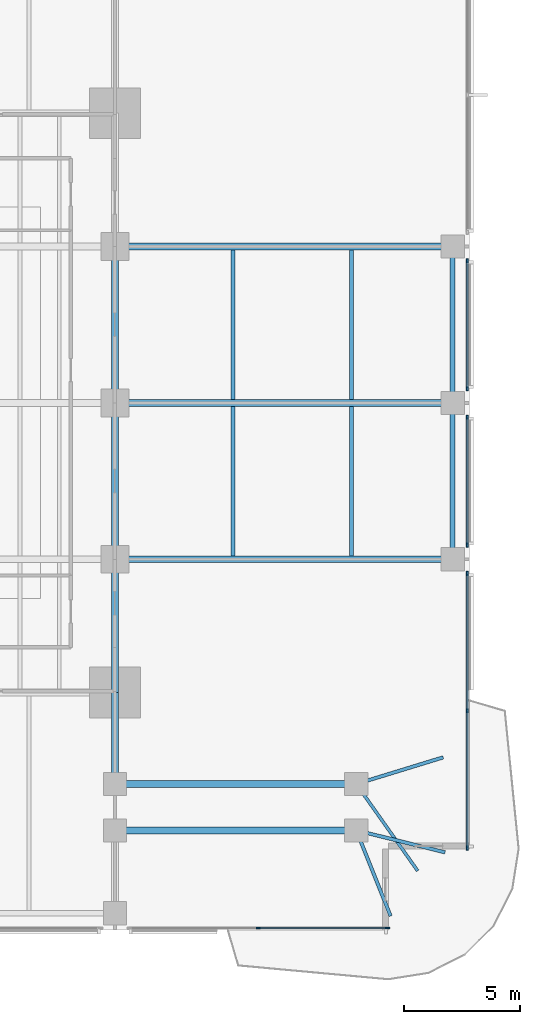
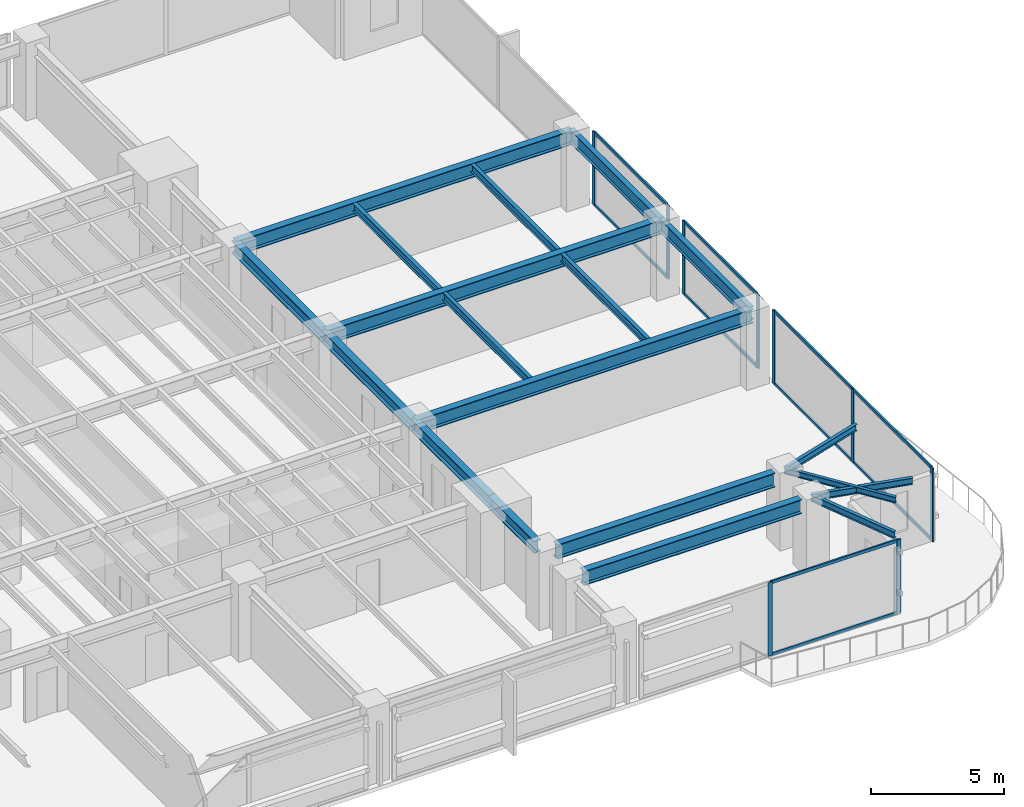
# One storey, part 4 of 15: 19 beams, 19 members, 4 elements without a shape of their own.
"""IFC4 building model written with IfcOpenShell, lengths in metres."""

import ifcopenshell
import ifcopenshell.guid

model = None  # the IFC model being written
_history = None  # IfcOwnerHistory: only IFC2X3 demands one
_inside = {}  # id of a spatial element -> (the spatial element, [elements in it])
_under = {}  # id of a project, library or spatial element -> (it, [spatial elements below it])
_declared = {}  # id of a project -> (the project, [libraries it declares])
_typed = {}  # id of a type object -> (the type object, [elements of that type])
_made_of = {}  # id of a material, layer set ... -> (it, [elements and type objects made of it])


def new_model(schema):
    """Start an empty IFC model of exactly this schema.

    Asked for "IFC4X3", IfcOpenShell would pick the latest addendum, in which some entities
    have other attributes; the version numbers below select the first issue.
    IFC2X3 requires an IfcOwnerHistory on every rooted entity: one is made here for all.
    """
    global model, _history
    if schema == "IFC4X3":
        model = ifcopenshell.file(schema_version=(4, 3, 0, 0))
    else:
        model = ifcopenshell.file(schema=schema)
    _inside.clear()
    _under.clear()
    _declared.clear()
    _typed.clear()
    _made_of.clear()
    _history = None
    if model.schema == "IFC2X3":
        org = make("IfcOrganization", Name="unknown")
        user = make(
            "IfcPersonAndOrganization",
            ThePerson=make("IfcPerson", FamilyName="unknown"),
            TheOrganization=org,
        )
        app = make(
            "IfcApplication",
            ApplicationDeveloper=org,
            Version="unknown",
            ApplicationFullName="unknown",
            ApplicationIdentifier="unknown",
        )
        _history = make(
            "IfcOwnerHistory",
            OwningUser=user,
            OwningApplication=app,
            ChangeAction="ADDED",
            CreationDate=0,
        )
    return model


def make(cls, **values):
    """One entity of the class cls with the attributes given. An attribute that is None is left unset."""
    return model.create_entity(
        cls, **{name: value for name, value in values.items() if value is not None}
    )


def rooted(cls, **values):
    """An entity with a GlobalId (a new one), such as an element, a storey or a relation."""
    return make(cls, GlobalId=ifcopenshell.guid.new(), OwnerHistory=_history, **values)


def si_unit(unit_type, name, prefix=None):
    """IfcSIUnit, for example si_unit("LENGTHUNIT", "METRE", prefix="MILLI")."""
    return make("IfcSIUnit", UnitType=unit_type, Prefix=prefix, Name=name)


def assignment(units):
    """IfcUnitAssignment: the units of a project."""
    return None if units is None else make("IfcUnitAssignment", Units=units)


def point(xyz):
    """IfcCartesianPoint."""
    return None if xyz is None else make("IfcCartesianPoint", Coordinates=xyz)


def direction(xyz):
    """IfcDirection."""
    return None if xyz is None else make("IfcDirection", DirectionRatios=xyz)


def frame(location, z_axis=None, x_axis=None):
    """IfcAxis2Placement3D, a coordinate frame: its origin and axes. An axis left out is left unset."""
    return make(
        "IfcAxis2Placement3D",
        Location=point(location),
        Axis=direction(z_axis),
        RefDirection=direction(x_axis),
    )


def frame_2d(location, x_axis=None):
    """IfcAxis2Placement2D, a coordinate frame in the plane: its origin and x axis."""
    return make(
        "IfcAxis2Placement2D", Location=point(location), RefDirection=direction(x_axis)
    )


def origin():
    """The frame at (0, 0, 0) with its axes left unset."""
    return frame((0.0, 0.0, 0.0))


def origin_2d():
    """The frame at (0, 0) in the plane with its x axis left unset."""
    return frame_2d((0.0, 0.0))


def place(relative_to, where):
    """IfcLocalPlacement: puts the frame where relative to a parent placement (None: the world)."""
    return make(
        "IfcLocalPlacement", PlacementRelTo=relative_to, RelativePlacement=where
    )


def context(
    kind, dimensions, precision=None, world=None, true_north=None, identifier=None
):
    """IfcGeometricRepresentationContext, for example the 3D "Model" context."""
    return make(
        "IfcGeometricRepresentationContext",
        ContextIdentifier=identifier,
        ContextType=kind,
        CoordinateSpaceDimension=dimensions,
        Precision=precision,
        WorldCoordinateSystem=world,
        TrueNorth=true_north,
    )


def subcontext(parent, identifier, kind, view, scale=None):
    """IfcGeometricRepresentationSubContext, for example "Body" below "Model"."""
    return make(
        "IfcGeometricRepresentationSubContext",
        ContextIdentifier=identifier,
        ContextType=kind,
        ParentContext=parent,
        TargetScale=scale,
        TargetView=view,
    )


def project(units=None, contexts=None):
    """IfcProject with its units and contexts."""
    return rooted(
        "IfcProject",
        Name="project",
        RepresentationContexts=contexts,
        UnitsInContext=assignment(units),
    )


def spatial(cls, under=None, at=None, **own):
    """A site, building, storey or space (cls), placed at a placement, below another one or the project."""
    s = rooted(cls, ObjectPlacement=at, **own)
    if under is not None:
        _under.setdefault(under.id(), (under, []))[1].append(s)
    return s


def profile(cls, at=None, kind="AREA", **sizes):
    """A parametric profile (cls). Its sizes go by their IFC names, for example OverallWidth=200.0."""
    return make(cls, ProfileType=kind, Position=at, **sizes)


def rectangle(**sizes):
    """IfcRectangleProfileDef."""
    return profile("IfcRectangleProfileDef", **sizes)


def i_section(**sizes):
    """IfcIShapeProfileDef."""
    return profile("IfcIShapeProfileDef", **sizes)


def extrude(swept, where, along, depth):
    """IfcExtrudedAreaSolid: the profile swept, set in the frame where, extruded along a direction by depth."""
    return make(
        "IfcExtrudedAreaSolid",
        SweptArea=swept,
        Position=where,
        ExtrudedDirection=direction(along),
        Depth=depth,
    )


def shape(context_of_items, identifier, shape_type, items):
    """IfcShapeRepresentation: the items that make up one representation, for example the "Body"."""
    return make(
        "IfcShapeRepresentation",
        ContextOfItems=context_of_items,
        RepresentationIdentifier=identifier,
        RepresentationType=shape_type,
        Items=items,
    )


def material(Name=None, Category=None):
    """IfcMaterial."""
    return make("IfcMaterial", Name=Name, Category=Category)


def layer(
    of_material, thickness, ventilated=None, Name=None, Category=None, Priority=None
):
    """IfcMaterialLayer: one layer of a wall or slab, of a material (None: an air gap)."""
    return make(
        "IfcMaterialLayer",
        Material=of_material,
        LayerThickness=thickness,
        IsVentilated=ventilated,
        Name=Name,
        Category=Category,
        Priority=Priority,
    )


def layer_set(layers, Name=None):
    """IfcMaterialLayerSet."""
    return make("IfcMaterialLayerSet", MaterialLayers=layers, LayerSetName=Name)


def material_profile(
    of_material, cross_section, Name=None, Category=None, Priority=None
):
    """IfcMaterialProfile: a cross section and its material."""
    return make(
        "IfcMaterialProfile",
        Name=Name,
        Material=of_material,
        Profile=cross_section,
        Priority=Priority,
        Category=Category,
    )


def profile_set(profiles, Name=None, composite=None):
    """IfcMaterialProfileSet."""
    return make(
        "IfcMaterialProfileSet",
        Name=Name,
        MaterialProfiles=profiles,
        CompositeProfile=composite,
    )


def made_of(thing, what):
    """Note that an element or type object is made of a material, layer set ...; save() writes the relation."""
    if what is not None:
        _made_of.setdefault(what.id(), (what, []))[1].append(thing)
    return thing


def type_object(cls, material=None, **own):
    """A type object (cls), such as IfcWallType, which elements share."""
    return made_of(rooted(cls, **own), material)


def element(
    cls,
    number,
    at=None,
    inside=None,
    cuts=None,
    type_object=None,
    material=None,
    context=None,
    identifier="Body",
    shape_type=None,
    held_by="IfcProductDefinitionShape",
    body=None,
    shapes=None,
    **own,
):
    """One element of the class cls, such as IfcWall. Its Tag is "e" and its number.

    at: its placement. inside: the storey or other place that contains it. cuts: it is an
    opening in that element (IfcRelVoidsElement). A single representation is given by context,
    identifier, shape_type and body (its items); several are given by shapes. held_by: the class
    of the entity that holds the representations. save() writes the other relations.
    """
    e = rooted(cls, Tag="e%d" % number, ObjectPlacement=at, **own)
    if body is not None:
        shapes = [shape(context, identifier, shape_type, body)]
    if shapes is not None:
        e.Representation = make(held_by, Representations=shapes)
    if inside is not None:
        _inside.setdefault(inside.id(), (inside, []))[1].append(e)
    if cuts is not None:
        rooted(
            "IfcRelVoidsElement", RelatingBuildingElement=cuts, RelatedOpeningElement=e
        )
    if type_object is not None:
        _typed.setdefault(type_object.id(), (type_object, []))[1].append(e)
    return made_of(e, material)


def aggregate(whole, parts):
    """IfcRelAggregates: a whole, such as a stair, and the parts it consists of."""
    return rooted("IfcRelAggregates", RelatingObject=whole, RelatedObjects=parts)


def save(model, path):
    """Write the relations noted so far, then the file.

    IfcRelAggregates (storeys below a building ...), IfcRelContainedInSpatialStructure (elements
    in a storey), IfcRelDefinesByType, IfcRelAssociatesMaterial and IfcRelDeclares: one each for
    every whole, place, type object, material and project.
    """
    for whole, parts in _under.values():
        aggregate(whole, parts)
    for where, things in _inside.values():
        rooted(
            "IfcRelContainedInSpatialStructure",
            RelatedElements=things,
            RelatingStructure=where,
        )
    for kind, things in _typed.values():
        rooted("IfcRelDefinesByType", RelatedObjects=things, RelatingType=kind)
    for what, things in _made_of.values():
        rooted("IfcRelAssociatesMaterial", RelatedObjects=things, RelatingMaterial=what)
    for by, libraries in _declared.values():
        rooted("IfcRelDeclares", RelatingContext=by, RelatedDefinitions=libraries)
    model.write(path)


model = new_model("IFC4")

# Units and contexts
model_context = context("Model", 3, precision=1e-05, world=origin(), true_north=direction((0.0, 1.0)))
body_context = subcontext(model_context, "Body", "Model", "MODEL_VIEW")
ifc_project = project(units=[si_unit("LENGTHUNIT", "METRE"), si_unit("AREAUNIT", "SQUARE_METRE"), si_unit("VOLUMEUNIT", "CUBIC_METRE"), si_unit("PLANEANGLEUNIT", "RADIAN"), si_unit("MASSUNIT", "GRAM", prefix="KILO")], contexts=[model_context])

# Site, building, storey
site_placement = place(None, origin())
site = spatial("IfcSite", under=ifc_project, at=site_placement, CompositionType="ELEMENT")
building_placement = place(site_placement, origin())
building = spatial("IfcBuilding", under=site, at=building_placement, Name="Kinhvarn Gate Tower", CompositionType="ELEMENT")
storey_placement = place(building_placement, frame((0.0, 0.0, 32.699951171875)))
storey = spatial("IfcBuildingStorey", under=building, at=storey_placement, Name="L07", CompositionType="ELEMENT", Elevation=32.699951171875)

# Curtain wall, members
ifc_material_1 = material(Name="Anodised aluminium AW-6063", Category="aluminium")
ifc_layer = layer(ifc_material_1, 0.179931640625)
ifc_layer_set = layer_set([ifc_layer], Name="Anodised aluminium AW-6063")
curtain_wall_type = type_object("IfcCurtainWallType", Name="CW-SYS-2", PredefinedType="NOTDEFINED", material=ifc_layer_set)
curtain_wall_1_placement = place(storey_placement, origin())
curtain_wall_1 = element("IfcCurtainWall", 1, at=curtain_wall_1_placement, inside=storey, type_object=curtain_wall_type, Name="Curtain Wall CW2 (L07)", PredefinedType="NOTDEFINED")
ifc_material_profile_1 = material_profile(ifc_material_1, rectangle(XDim=0.070068359375, YDim=0.179931640625, at=origin_2d()), Name="ALU 70x180")
ifc_profile_set_1 = profile_set([ifc_material_profile_1], Name="Anodised aluminium AW-6063")
member_type_1 = type_object("IfcMemberType", Name="CW-MUL-180", PredefinedType="MULLION", material=ifc_profile_set_1)
member_1_placement = place(storey_placement, frame((44.389892578125, 2.590087890625, 0.0), z_axis=(0.0, 0.0, 1.0), x_axis=(0.0, 1.0, 0.0)))
member_1 = element("IfcMember", 2, at=member_1_placement, type_object=member_type_1, Name="CW2 mullion 2", PredefinedType="MULLION", context=body_context, shape_type="SweptSolid", body=[
    extrude(rectangle(XDim=0.070068359375, YDim=0.179931640625, at=origin_2d()), origin(), (0.0, 0.0, 1.0), 3.3701171875),
])
member_2_placement = place(storey_placement, frame((49.965087890625, 2.590087890625, 0.0), z_axis=(0.0, 0.0, 1.0), x_axis=(0.0, 1.0, 0.0)))
member_2 = element("IfcMember", 3, at=member_2_placement, type_object=member_type_1, Name="CW2 mullion 3", PredefinedType="MULLION", context=body_context, shape_type="SweptSolid", body=[
    extrude(rectangle(XDim=0.070068359375, YDim=0.179931640625, at=origin_2d()), origin(), (0.0, 0.0, 1.0), 3.3701171875),
])

curtain_wall_2_placement = place(storey_placement, origin())
curtain_wall_2 = element("IfcCurtainWall", 4, at=curtain_wall_2_placement, inside=storey, type_object=curtain_wall_type, Name="Curtain Wall CW2 (L07)", PredefinedType="NOTDEFINED")
member_3_placement = place(storey_placement, frame((53.409912109375, 6.034912109375, 0.0), z_axis=(0.0, 0.0, 1.0), x_axis=(-1.0, 0.0, 0.0)))
member_3 = element("IfcMember", 5, at=member_3_placement, type_object=member_type_1, Name="CW2 mullion 1", PredefinedType="MULLION", context=body_context, shape_type="SweptSolid", body=[
    extrude(rectangle(XDim=0.070068359375, YDim=0.179931640625, at=origin_2d()), origin(), (0.0, 0.0, 1.0), 3.3701171875),
])
member_4_placement = place(storey_placement, frame((53.409912109375, 11.9599609375, 0.0), z_axis=(0.0, 0.0, 1.0), x_axis=(-1.0, 0.0, 0.0)))
member_4 = element("IfcMember", 6, at=member_4_placement, type_object=member_type_1, Name="CW2 mullion 2", PredefinedType="MULLION", context=body_context, shape_type="SweptSolid", body=[
    extrude(rectangle(XDim=0.070068359375, YDim=0.179931640625, at=origin_2d()), origin(), (0.0, 0.0, 1.0), 3.3701171875),
])
member_5_placement = place(storey_placement, frame((53.409912109375, 17.885009765625, 0.0), z_axis=(0.0, 0.0, 1.0), x_axis=(-1.0, 0.0, 0.0)))
member_5 = element("IfcMember", 7, at=member_5_placement, type_object=member_type_1, Name="CW2 mullion 3", PredefinedType="MULLION", context=body_context, shape_type="SweptSolid", body=[
    extrude(rectangle(XDim=0.070068359375, YDim=0.179931640625, at=origin_2d()), origin(), (0.0, 0.0, 1.0), 3.3701171875),
])

curtain_wall_3_placement = place(storey_placement, origin())
curtain_wall_3 = element("IfcCurtainWall", 8, at=curtain_wall_3_placement, inside=storey, type_object=curtain_wall_type, Name="Curtain Wall CW2 (L07)", PredefinedType="NOTDEFINED")
member_6_placement = place(storey_placement, frame((53.409912109375, 19.114990234375, 0.0), z_axis=(0.0, 0.0, 1.0), x_axis=(-1.0, 0.0, 0.0)))
member_6 = element("IfcMember", 9, at=member_6_placement, type_object=member_type_1, Name="CW2 mullion 1", PredefinedType="MULLION", context=body_context, shape_type="SweptSolid", body=[
    extrude(rectangle(XDim=0.070068359375, YDim=0.179931640625, at=origin_2d()), origin(), (0.0, 0.0, 1.0), 3.3701171875),
])
member_7_placement = place(storey_placement, frame((53.409912109375, 24.635009765625, 0.0), z_axis=(0.0, 0.0, 1.0), x_axis=(-1.0, 0.0, 0.0)))
member_7 = element("IfcMember", 10, at=member_7_placement, type_object=member_type_1, Name="CW2 mullion 2", PredefinedType="MULLION", context=body_context, shape_type="SweptSolid", body=[
    extrude(rectangle(XDim=0.070068359375, YDim=0.179931640625, at=origin_2d()), origin(), (0.0, 0.0, 1.0), 3.3701171875),
])

curtain_wall_4_placement = place(storey_placement, origin())
curtain_wall_4 = element("IfcCurtainWall", 11, at=curtain_wall_4_placement, inside=storey, type_object=curtain_wall_type, Name="Curtain Wall CW2 (L07)", PredefinedType="NOTDEFINED")
member_8_placement = place(storey_placement, frame((53.409912109375, 25.864990234375, 0.0), z_axis=(0.0, 0.0, 1.0), x_axis=(-1.0, 0.0, 0.0)))
member_8 = element("IfcMember", 12, at=member_8_placement, type_object=member_type_1, Name="CW2 mullion 1", PredefinedType="MULLION", context=body_context, shape_type="SweptSolid", body=[
    extrude(rectangle(XDim=0.070068359375, YDim=0.179931640625, at=origin_2d()), origin(), (0.0, 0.0, 1.0), 3.3701171875),
])
member_9_placement = place(storey_placement, frame((53.409912109375, 31.385009765625, 0.0), z_axis=(0.0, 0.0, 1.0), x_axis=(-1.0, 0.0, 0.0)))
member_9 = element("IfcMember", 13, at=member_9_placement, type_object=member_type_1, Name="CW2 mullion 2", PredefinedType="MULLION", context=body_context, shape_type="SweptSolid", body=[
    extrude(rectangle(XDim=0.070068359375, YDim=0.179931640625, at=origin_2d()), origin(), (0.0, 0.0, 1.0), 3.3701171875),
])

# Member
ifc_material_profile_2 = material_profile(ifc_material_1, rectangle(XDim=0.070068359375, YDim=0.139892578125, at=origin_2d()), Name="ALU 70x140")
ifc_profile_set_2 = profile_set([ifc_material_profile_2], Name="Anodised aluminium AW-6063")
member_type_2 = type_object("IfcMemberType", Name="CW-TRN-140", PredefinedType="USERDEFINED", material=ifc_profile_set_2)
member_10_placement = place(storey_placement, frame((44.425048828125, 2.590087890625, 0.03515625), z_axis=(1.0, 0.0, 0.0), x_axis=(0.0, 1.0, 0.0)))
member_10 = element("IfcMember", 14, at=member_10_placement, type_object=member_type_2, Name="CW2 transom 2.1", ObjectType="TRANSOM", PredefinedType="USERDEFINED", context=body_context, shape_type="SweptSolid", body=[
    extrude(rectangle(XDim=0.070068359375, YDim=0.139892578125, at=origin_2d()), origin(), (0.0, 0.0, 1.0), 5.5048828125),
])

member_11_placement = place(storey_placement, frame((44.425048828125, 2.590087890625, 3.3349609375), z_axis=(1.0, 0.0, 0.0), x_axis=(0.0, 1.0, 0.0)))
member_11 = element("IfcMember", 15, at=member_11_placement, type_object=member_type_2, Name="CW2 transom 2.2", ObjectType="TRANSOM", PredefinedType="USERDEFINED", context=body_context, shape_type="SweptSolid", body=[
    extrude(rectangle(XDim=0.070068359375, YDim=0.139892578125, at=origin_2d()), origin(), (0.0, 0.0, 1.0), 5.5048828125),
])

aggregate(curtain_wall_1, [member_1, member_2, member_10, member_11])

member_12_placement = place(storey_placement, frame((53.409912109375, 6.070068359375, 0.03515625), z_axis=(0.0, 1.0, 0.0), x_axis=(-1.0, 0.0, 0.0)))
member_12 = element("IfcMember", 16, at=member_12_placement, type_object=member_type_2, Name="CW2 transom 1.1", ObjectType="TRANSOM", PredefinedType="USERDEFINED", context=body_context, shape_type="SweptSolid", body=[
    extrude(rectangle(XDim=0.070068359375, YDim=0.139892578125, at=origin_2d()), origin(), (0.0, 0.0, 1.0), 5.85498046875),
])

member_13_placement = place(storey_placement, frame((53.409912109375, 6.070068359375, 3.3349609375), z_axis=(0.0, 1.0, 0.0), x_axis=(-1.0, 0.0, 0.0)))
member_13 = element("IfcMember", 17, at=member_13_placement, type_object=member_type_2, Name="CW2 transom 1.2", ObjectType="TRANSOM", PredefinedType="USERDEFINED", context=body_context, shape_type="SweptSolid", body=[
    extrude(rectangle(XDim=0.070068359375, YDim=0.139892578125, at=origin_2d()), origin(), (0.0, 0.0, 1.0), 5.85498046875),
])

member_14_placement = place(storey_placement, frame((53.409912109375, 11.9951171875, 0.03515625), z_axis=(0.0, 1.0, 0.0), x_axis=(-1.0, 0.0, 0.0)))
member_14 = element("IfcMember", 18, at=member_14_placement, type_object=member_type_2, Name="CW2 transom 2.1", ObjectType="TRANSOM", PredefinedType="USERDEFINED", context=body_context, shape_type="SweptSolid", body=[
    extrude(rectangle(XDim=0.070068359375, YDim=0.139892578125, at=origin_2d()), origin(), (0.0, 0.0, 1.0), 5.85498046875),
])

member_15_placement = place(storey_placement, frame((53.409912109375, 11.9951171875, 3.3349609375), z_axis=(0.0, 1.0, 0.0), x_axis=(-1.0, 0.0, 0.0)))
member_15 = element("IfcMember", 19, at=member_15_placement, type_object=member_type_2, Name="CW2 transom 2.2", ObjectType="TRANSOM", PredefinedType="USERDEFINED", context=body_context, shape_type="SweptSolid", body=[
    extrude(rectangle(XDim=0.070068359375, YDim=0.139892578125, at=origin_2d()), origin(), (0.0, 0.0, 1.0), 5.85498046875),
])

aggregate(curtain_wall_2, [member_3, member_4, member_5, member_12, member_13, member_14, member_15])

member_16_placement = place(storey_placement, frame((53.409912109375, 19.14990234375, 0.03515625), z_axis=(0.0, 1.0, 0.0), x_axis=(-1.0, 0.0, 0.0)))
member_16 = element("IfcMember", 20, at=member_16_placement, type_object=member_type_2, Name="CW2 transom 1.1", ObjectType="TRANSOM", PredefinedType="USERDEFINED", context=body_context, shape_type="SweptSolid", body=[
    extrude(rectangle(XDim=0.070068359375, YDim=0.139892578125, at=origin_2d()), origin(), (0.0, 0.0, 1.0), 5.4501953125),
])

member_17_placement = place(storey_placement, frame((53.409912109375, 19.14990234375, 3.3349609375), z_axis=(0.0, 1.0, 0.0), x_axis=(-1.0, 0.0, 0.0)))
member_17 = element("IfcMember", 21, at=member_17_placement, type_object=member_type_2, Name="CW2 transom 1.2", ObjectType="TRANSOM", PredefinedType="USERDEFINED", context=body_context, shape_type="SweptSolid", body=[
    extrude(rectangle(XDim=0.070068359375, YDim=0.139892578125, at=origin_2d()), origin(), (0.0, 0.0, 1.0), 5.4501953125),
])

aggregate(curtain_wall_3, [member_6, member_7, member_16, member_17])

member_18_placement = place(storey_placement, frame((53.409912109375, 25.89990234375, 0.03515625), z_axis=(0.0, 1.0, 0.0), x_axis=(-1.0, 0.0, 0.0)))
member_18 = element("IfcMember", 22, at=member_18_placement, type_object=member_type_2, Name="CW2 transom 1.1", ObjectType="TRANSOM", PredefinedType="USERDEFINED", context=body_context, shape_type="SweptSolid", body=[
    extrude(rectangle(XDim=0.070068359375, YDim=0.139892578125, at=origin_2d()), origin(), (0.0, 0.0, 1.0), 5.4501953125),
])

member_19_placement = place(storey_placement, frame((53.409912109375, 25.89990234375, 3.3349609375), z_axis=(0.0, 1.0, 0.0), x_axis=(-1.0, 0.0, 0.0)))
member_19 = element("IfcMember", 23, at=member_19_placement, type_object=member_type_2, Name="CW2 transom 1.2", ObjectType="TRANSOM", PredefinedType="USERDEFINED", context=body_context, shape_type="SweptSolid", body=[
    extrude(rectangle(XDim=0.070068359375, YDim=0.139892578125, at=origin_2d()), origin(), (0.0, 0.0, 1.0), 5.4501953125),
])

aggregate(curtain_wall_4, [member_8, member_9, member_18, member_19])

# Beams
ifc_material_2 = material(Name="Steel S355", Category="steel")
ifc_material_profile_3 = material_profile(ifc_material_2, i_section(OverallWidth=0.300048828125, OverallDepth=0.550048828125, WebThickness=0.014892578125, FlangeThickness=0.029052734375, at=origin_2d()), Name="HEB 550")
ifc_profile_set_3 = profile_set([ifc_material_profile_3], Name="Steel S355")
beam_type_1 = type_object("IfcBeamType", Name="STL-HEB550", PredefinedType="BEAM", material=ifc_profile_set_3)
beam_1_placement = place(storey_placement, frame((38.199951171875, 9.284912109375, 3.094970703125), z_axis=(0.0, 1.0, 0.0), x_axis=(-1.0, 0.0, 0.0)))
element("IfcBeam", 24, at=beam_1_placement, inside=storey, type_object=beam_type_1, Name="Floor Beam PG-15 (L07 MCE-S-A2)", PredefinedType="BEAM", context=body_context, shape_type="SweptSolid", body=[
    extrude(i_section(OverallWidth=0.300048828125, OverallDepth=0.550048828125, WebThickness=0.014892578125, FlangeThickness=0.029052734375, at=origin_2d()), origin(), (0.0, 0.0, 1.0), 3.465087890625),
])
beam_2_placement = place(storey_placement, frame((38.199951171875, 12.75, 3.094970703125), z_axis=(0.0, 1.0, 0.0), x_axis=(-1.0, 0.0, 0.0)))
element("IfcBeam", 25, at=beam_2_placement, inside=storey, type_object=beam_type_1, Name="Floor Beam PG-15 (L07 MG-E-12)", PredefinedType="BEAM", context=body_context, shape_type="SweptSolid", body=[
    extrude(i_section(OverallWidth=0.300048828125, OverallDepth=0.550048828125, WebThickness=0.014892578125, FlangeThickness=0.029052734375, at=origin_2d()), origin(), (0.0, 0.0, 1.0), 5.75),
])
for number, where, z_axis, x_axis, name in (
    (26, (38.199951171875, 18.5, 3.094970703125), (0.0, 1.0, 0.0), (-1.0, 0.0, 0.0), "Floor Beam PG-15 (L07 MG-E-18)"),
    (27, (38.199951171875, 25.25, 3.094970703125), (0.0, 1.0, 0.0), (-1.0, 0.0, 0.0), "Floor Beam PG-15 (L07 MG-E-25)"),
):
    element("IfcBeam", number, at=place(storey_placement, frame(where, z_axis=z_axis, x_axis=x_axis)), inside=storey, type_object=beam_type_1, Name=name, PredefinedType="BEAM", context=body_context, shape_type="SweptSolid", body=[
        extrude(i_section(OverallWidth=0.300048828125, OverallDepth=0.550048828125, WebThickness=0.014892578125, FlangeThickness=0.029052734375, at=origin_2d()), origin(), (0.0, 0.0, 1.0), 6.75),
    ])
ifc_material_profile_4 = material_profile(ifc_material_2, i_section(OverallWidth=0.300048828125, OverallDepth=0.64990234375, WebThickness=0.01611328125, FlangeThickness=0.031005859375, at=origin_2d()), Name="HEB 650")
ifc_profile_set_4 = profile_set([ifc_material_profile_4], Name="Steel S355")
beam_type_2 = type_object("IfcBeamType", Name="STL-HEB650", PredefinedType="BEAM", material=ifc_profile_set_4)
for number, where, z_axis, x_axis, name in (
    (28, (38.68505859375, 8.800048828125, 3.045166015625), (1.0, 0.0, 0.0), (0.0, 1.0, 0.0), "Floor Beam PG-17 (L07 SP-SE1B)"),
    (29, (38.68505859375, 6.800048828125, 3.045166015625), (1.0, 0.0, 0.0), (0.0, 1.0, 0.0), "Floor Beam PG-17 (L07 SP-SE1A)"),
):
    element("IfcBeam", number, at=place(storey_placement, frame(where, z_axis=z_axis, x_axis=x_axis)), inside=storey, type_object=beam_type_2, Name=name, PredefinedType="BEAM", context=body_context, shape_type="SweptSolid", body=[
        extrude(i_section(OverallWidth=0.300048828125, OverallDepth=0.64990234375, WebThickness=0.01611328125, FlangeThickness=0.031005859375, at=origin_2d()), origin(), (0.0, 0.0, 1.0), 9.449951171875),
    ])
for number, where, z_axis, x_axis, name in (
    (30, (38.199951171875, 18.5, 3.045166015625), (1.0, 0.0, 0.0), (0.0, 1.0, 0.0), "Floor Beam PG-17 (L07 EW2-Y18)"),
    (31, (38.199951171875, 25.25, 3.045166015625), (1.0, 0.0, 0.0), (0.0, 1.0, 0.0), "Floor Beam PG-17 (L07 EW2-Y25)"),
    (32, (38.199951171875, 32.0, 3.045166015625), (1.0, 0.0, 0.0), (0.0, 1.0, 0.0), "Floor Beam PG-17 (L07 EW2-Y32)"),
):
    element("IfcBeam", number, at=place(storey_placement, frame(where, z_axis=z_axis, x_axis=x_axis)), inside=storey, type_object=beam_type_2, Name=name, PredefinedType="BEAM", context=body_context, shape_type="SweptSolid", body=[
        extrude(i_section(OverallWidth=0.300048828125, OverallDepth=0.64990234375, WebThickness=0.01611328125, FlangeThickness=0.031005859375, at=origin_2d()), origin(), (0.0, 0.0, 1.0), 14.580078125),
    ])
ifc_material_profile_5 = material_profile(ifc_material_2, i_section(OverallWidth=0.135009765625, OverallDepth=0.27001953125, WebThickness=0.006591796875, FlangeThickness=0.01025390625, at=origin_2d()), Name="IPE 270")
ifc_profile_set_5 = profile_set([ifc_material_profile_5], Name="Steel S355")
beam_type_3 = type_object("IfcBeamType", Name="STL-IPE270", PredefinedType="JOIST", material=ifc_profile_set_5)
beam_3_placement = place(storey_placement, frame((48.6201171875, 8.800048828125, 3.235107421875), z_axis=(0.57709644225, -0.81667600451, 0.0), x_axis=(0.81667600451, 0.57709644225, 0.0)))
element("IfcBeam", 33, at=beam_3_placement, inside=storey, type_object=beam_type_3, Name="Floor Joist SB-01 (L07 BAL-B3-L08)", PredefinedType="JOIST", context=body_context, shape_type="SweptSolid", body=[
    extrude(i_section(OverallWidth=0.135009765625, OverallDepth=0.27001953125, WebThickness=0.006591796875, FlangeThickness=0.01025390625, at=origin_2d()), origin(), (0.0, 0.0, 1.0), 4.591796875),
])
ifc_material_profile_6 = material_profile(ifc_material_2, i_section(OverallWidth=0.14990234375, OverallDepth=0.300048828125, WebThickness=0.007080078125, FlangeThickness=0.0107421875, at=origin_2d()), Name="IPE 300")
ifc_profile_set_6 = profile_set([ifc_material_profile_6], Name="Steel S355")
beam_type_4 = type_object("IfcBeamType", Name="STL-IPE300", PredefinedType="JOIST", material=ifc_profile_set_6)
beam_4_placement = place(storey_placement, frame((48.6201171875, 6.800048828125, 3.219970703125), z_axis=(0.97058851083, -0.240744558911, 0.0), x_axis=(0.240744558911, 0.97058851083, 0.0)))
element("IfcBeam", 34, at=beam_4_placement, inside=storey, type_object=beam_type_4, Name="Floor Joist SB-02 (L07 BAL-B1-L08)", PredefinedType="JOIST", context=body_context, shape_type="SweptSolid", body=[
    extrude(i_section(OverallWidth=0.14990234375, OverallDepth=0.300048828125, WebThickness=0.007080078125, FlangeThickness=0.0107421875, at=origin_2d()), origin(), (0.0, 0.0, 1.0), 3.94580078125),
])
beam_5_placement = place(storey_placement, frame((48.6201171875, 6.800048828125, 3.219970703125), z_axis=(0.371390676354, -0.928476690885, 0.0), x_axis=(0.928476690885, 0.371390676354, 0.0)))
element("IfcBeam", 35, at=beam_5_placement, inside=storey, type_object=beam_type_4, Name="Floor Joist SB-02 (L07 BAL-B2-L08)", PredefinedType="JOIST", context=body_context, shape_type="SweptSolid", body=[
    extrude(i_section(OverallWidth=0.14990234375, OverallDepth=0.300048828125, WebThickness=0.007080078125, FlangeThickness=0.0107421875, at=origin_2d()), origin(), (0.0, 0.0, 1.0), 3.98486328125),
])
beam_6_placement = place(storey_placement, frame((48.6201171875, 8.800048828125, 3.219970703125), z_axis=(0.95606118681, 0.293167199862, 0.0), x_axis=(-0.293167199862, 0.95606118681, 0.0)))
element("IfcBeam", 36, at=beam_6_placement, inside=storey, type_object=beam_type_4, Name="Floor Joist SB-02 (L07 BAL-B5-L08)", PredefinedType="JOIST", context=body_context, shape_type="SweptSolid", body=[
    extrude(i_section(OverallWidth=0.14990234375, OverallDepth=0.300048828125, WebThickness=0.007080078125, FlangeThickness=0.0107421875, at=origin_2d()), origin(), (0.0, 0.0, 1.0), 3.92236328125),
])
ifc_material_profile_7 = material_profile(ifc_material_2, i_section(OverallWidth=0.169921875, OverallDepth=0.360107421875, WebThickness=0.008056640625, FlangeThickness=0.0126953125, at=origin_2d()), Name="IPE 360")
ifc_profile_set_7 = profile_set([ifc_material_profile_7], Name="Steel S355")
beam_type_5 = type_object("IfcBeamType", Name="STL-IPE360", PredefinedType="JOIST", material=ifc_profile_set_7)
for number, where, z_axis, x_axis, name in (
    (37, (43.300048828125, 18.64990234375, 3.18994140625), (0.0, 1.0, 0.0), (-1.0, 0.0, 0.0), "Floor Joist SB-04 (L07 JC-X433-1)"),
    (38, (43.300048828125, 25.39990234375, 3.18994140625), (0.0, 1.0, 0.0), (-1.0, 0.0, 0.0), "Floor Joist SB-04 (L07 JC-X433-2)"),
    (39, (48.409912109375, 18.64990234375, 3.18994140625), (0.0, 1.0, 0.0), (-1.0, 0.0, 0.0), "Floor Joist SB-04 (L07 JC-X484-1)"),
    (40, (48.409912109375, 25.39990234375, 3.18994140625), (0.0, 1.0, 0.0), (-1.0, 0.0, 0.0), "Floor Joist SB-04 (L07 JC-X484-2)"),
):
    element("IfcBeam", number, at=place(storey_placement, frame(where, z_axis=z_axis, x_axis=x_axis)), inside=storey, type_object=beam_type_5, Name=name, PredefinedType="JOIST", context=body_context, shape_type="SweptSolid", body=[
        extrude(i_section(OverallWidth=0.169921875, OverallDepth=0.360107421875, WebThickness=0.008056640625, FlangeThickness=0.0126953125, at=origin_2d()), origin(), (0.0, 0.0, 1.0), 6.4501953125),
    ])
ifc_material_profile_8 = material_profile(ifc_material_2, i_section(OverallWidth=0.219970703125, OverallDepth=0.60009765625, WebThickness=0.011962890625, FlangeThickness=0.01904296875, at=origin_2d()), Name="IPE 600")
ifc_profile_set_8 = profile_set([ifc_material_profile_8], Name="Steel S355")
beam_type_6 = type_object("IfcBeamType", Name="STL-IPE600", PredefinedType="SPANDREL", material=ifc_profile_set_8)
for number, where, z_axis, x_axis, name in (
    (41, (52.780029296875, 18.5, 3.070068359375), (0.0, 1.0, 0.0), (-1.0, 0.0, 0.0), "Floor Spandrel SB-09 (L07 SP-E2)"),
    (42, (52.780029296875, 25.25, 3.070068359375), (0.0, 1.0, 0.0), (-1.0, 0.0, 0.0), "Floor Spandrel SB-09 (L07 SP-E3)"),
):
    element("IfcBeam", number, at=place(storey_placement, frame(where, z_axis=z_axis, x_axis=x_axis)), inside=storey, type_object=beam_type_6, Name=name, PredefinedType="SPANDREL", context=body_context, shape_type="SweptSolid", body=[
        extrude(i_section(OverallWidth=0.219970703125, OverallDepth=0.60009765625, WebThickness=0.011962890625, FlangeThickness=0.01904296875, at=origin_2d()), origin(), (0.0, 0.0, 1.0), 6.75),
    ])

save(model, "model.ifc")
